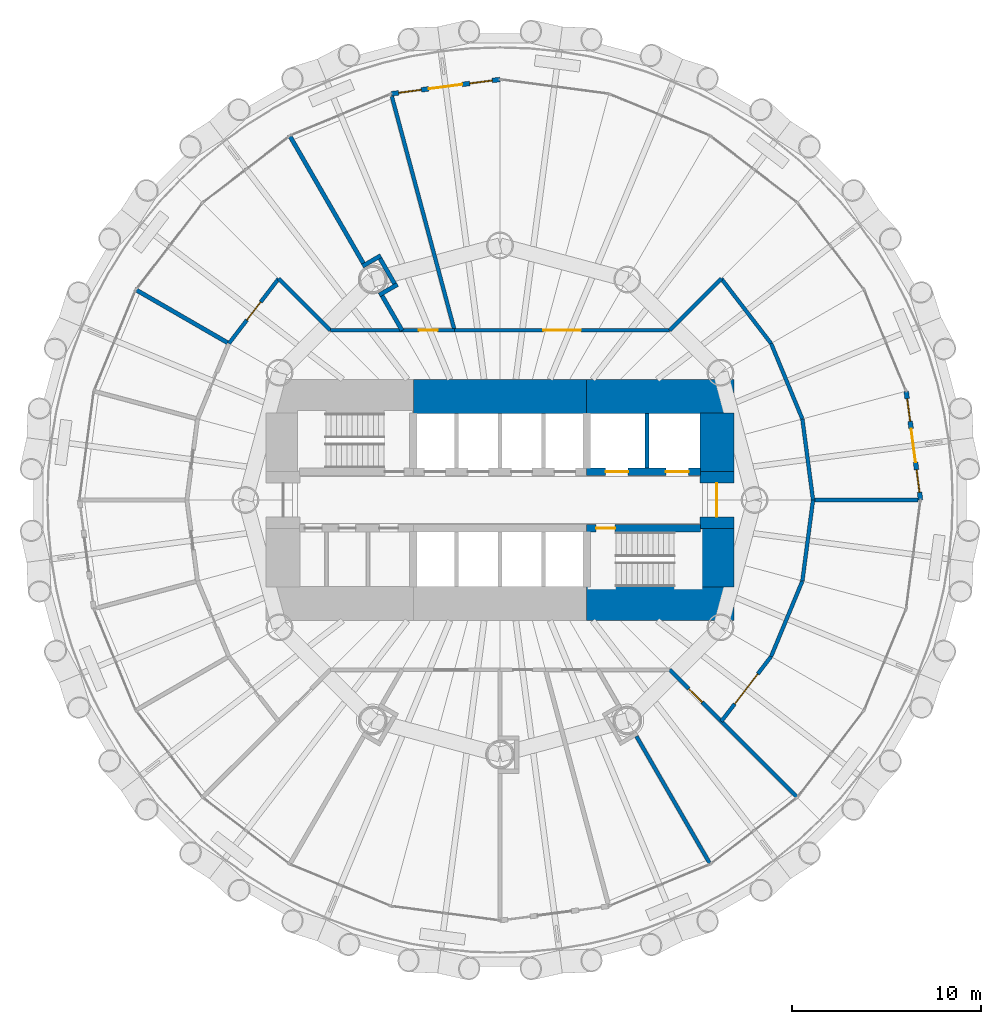
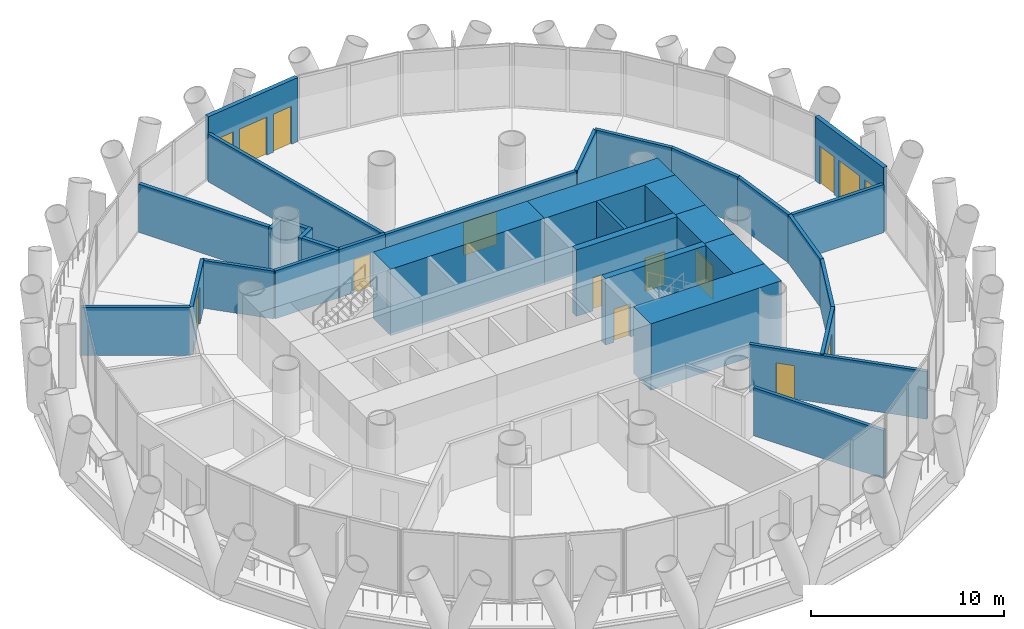
# One storey, part 10 of 15: 33 walls, 11 doors, 4 windows, 15 openings.
"""IFC4 building model written with IfcOpenShell, lengths in metres."""

import ifcopenshell
import ifcopenshell.guid

model = None  # the IFC model being written
_history = None  # IfcOwnerHistory: only IFC2X3 demands one
_inside = {}  # id of a spatial element -> (the spatial element, [elements in it])
_under = {}  # id of a project, library or spatial element -> (it, [spatial elements below it])
_declared = {}  # id of a project -> (the project, [libraries it declares])
_typed = {}  # id of a type object -> (the type object, [elements of that type])
_made_of = {}  # id of a material, layer set ... -> (it, [elements and type objects made of it])


def new_model(schema):
    """Start an empty IFC model of exactly this schema.

    Asked for "IFC4X3", IfcOpenShell would pick the latest addendum, in which some entities
    have other attributes; the version numbers below select the first issue.
    IFC2X3 requires an IfcOwnerHistory on every rooted entity: one is made here for all.
    """
    global model, _history
    if schema == "IFC4X3":
        model = ifcopenshell.file(schema_version=(4, 3, 0, 0))
    else:
        model = ifcopenshell.file(schema=schema)
    _inside.clear()
    _under.clear()
    _declared.clear()
    _typed.clear()
    _made_of.clear()
    _history = None
    if model.schema == "IFC2X3":
        org = make("IfcOrganization", Name="unknown")
        user = make(
            "IfcPersonAndOrganization",
            ThePerson=make("IfcPerson", FamilyName="unknown"),
            TheOrganization=org,
        )
        app = make(
            "IfcApplication",
            ApplicationDeveloper=org,
            Version="unknown",
            ApplicationFullName="unknown",
            ApplicationIdentifier="unknown",
        )
        _history = make(
            "IfcOwnerHistory",
            OwningUser=user,
            OwningApplication=app,
            ChangeAction="ADDED",
            CreationDate=0,
        )
    return model


def make(cls, **values):
    """One entity of the class cls with the attributes given. An attribute that is None is left unset."""
    return model.create_entity(
        cls, **{name: value for name, value in values.items() if value is not None}
    )


def rooted(cls, **values):
    """An entity with a GlobalId (a new one), such as an element, a storey or a relation."""
    return make(cls, GlobalId=ifcopenshell.guid.new(), OwnerHistory=_history, **values)


def si_unit(unit_type, name, prefix=None):
    """IfcSIUnit, for example si_unit("LENGTHUNIT", "METRE", prefix="MILLI")."""
    return make("IfcSIUnit", UnitType=unit_type, Prefix=prefix, Name=name)


def assignment(units):
    """IfcUnitAssignment: the units of a project."""
    return None if units is None else make("IfcUnitAssignment", Units=units)


def point(xyz):
    """IfcCartesianPoint."""
    return None if xyz is None else make("IfcCartesianPoint", Coordinates=xyz)


def direction(xyz):
    """IfcDirection."""
    return None if xyz is None else make("IfcDirection", DirectionRatios=xyz)


def frame(location, z_axis=None, x_axis=None):
    """IfcAxis2Placement3D, a coordinate frame: its origin and axes. An axis left out is left unset."""
    return make(
        "IfcAxis2Placement3D",
        Location=point(location),
        Axis=direction(z_axis),
        RefDirection=direction(x_axis),
    )


def frame_2d(location, x_axis=None):
    """IfcAxis2Placement2D, a coordinate frame in the plane: its origin and x axis."""
    return make(
        "IfcAxis2Placement2D", Location=point(location), RefDirection=direction(x_axis)
    )


def origin():
    """The frame at (0, 0, 0) with its axes left unset."""
    return frame((0.0, 0.0, 0.0))


def place(relative_to, where):
    """IfcLocalPlacement: puts the frame where relative to a parent placement (None: the world)."""
    return make(
        "IfcLocalPlacement", PlacementRelTo=relative_to, RelativePlacement=where
    )


def context(
    kind, dimensions, precision=None, world=None, true_north=None, identifier=None
):
    """IfcGeometricRepresentationContext, for example the 3D "Model" context."""
    return make(
        "IfcGeometricRepresentationContext",
        ContextIdentifier=identifier,
        ContextType=kind,
        CoordinateSpaceDimension=dimensions,
        Precision=precision,
        WorldCoordinateSystem=world,
        TrueNorth=true_north,
    )


def subcontext(parent, identifier, kind, view, scale=None):
    """IfcGeometricRepresentationSubContext, for example "Body" below "Model"."""
    return make(
        "IfcGeometricRepresentationSubContext",
        ContextIdentifier=identifier,
        ContextType=kind,
        ParentContext=parent,
        TargetScale=scale,
        TargetView=view,
    )


def project(units=None, contexts=None):
    """IfcProject with its units and contexts."""
    return rooted(
        "IfcProject",
        Name="project",
        RepresentationContexts=contexts,
        UnitsInContext=assignment(units),
    )


def spatial(cls, under=None, at=None, **own):
    """A site, building, storey or space (cls), placed at a placement, below another one or the project."""
    s = rooted(cls, ObjectPlacement=at, **own)
    if under is not None:
        _under.setdefault(under.id(), (under, []))[1].append(s)
    return s


def profile(cls, at=None, kind="AREA", **sizes):
    """A parametric profile (cls). Its sizes go by their IFC names, for example OverallWidth=200.0."""
    return make(cls, ProfileType=kind, Position=at, **sizes)


def rectangle(**sizes):
    """IfcRectangleProfileDef."""
    return profile("IfcRectangleProfileDef", **sizes)


def extrude(swept, where, along, depth):
    """IfcExtrudedAreaSolid: the profile swept, set in the frame where, extruded along a direction by depth."""
    return make(
        "IfcExtrudedAreaSolid",
        SweptArea=swept,
        Position=where,
        ExtrudedDirection=direction(along),
        Depth=depth,
    )


def shape(context_of_items, identifier, shape_type, items):
    """IfcShapeRepresentation: the items that make up one representation, for example the "Body"."""
    return make(
        "IfcShapeRepresentation",
        ContextOfItems=context_of_items,
        RepresentationIdentifier=identifier,
        RepresentationType=shape_type,
        Items=items,
    )


def material(Name=None, Category=None):
    """IfcMaterial."""
    return make("IfcMaterial", Name=Name, Category=Category)


def layer(
    of_material, thickness, ventilated=None, Name=None, Category=None, Priority=None
):
    """IfcMaterialLayer: one layer of a wall or slab, of a material (None: an air gap)."""
    return make(
        "IfcMaterialLayer",
        Material=of_material,
        LayerThickness=thickness,
        IsVentilated=ventilated,
        Name=Name,
        Category=Category,
        Priority=Priority,
    )


def layer_set(layers, Name=None):
    """IfcMaterialLayerSet."""
    return make("IfcMaterialLayerSet", MaterialLayers=layers, LayerSetName=Name)


def made_of(thing, what):
    """Note that an element or type object is made of a material, layer set ...; save() writes the relation."""
    if what is not None:
        _made_of.setdefault(what.id(), (what, []))[1].append(thing)
    return thing


def type_object(cls, material=None, **own):
    """A type object (cls), such as IfcWallType, which elements share."""
    return made_of(rooted(cls, **own), material)


def element(
    cls,
    number,
    at=None,
    inside=None,
    cuts=None,
    type_object=None,
    material=None,
    context=None,
    identifier="Body",
    shape_type=None,
    held_by="IfcProductDefinitionShape",
    body=None,
    shapes=None,
    **own,
):
    """One element of the class cls, such as IfcWall. Its Tag is "e" and its number.

    at: its placement. inside: the storey or other place that contains it. cuts: it is an
    opening in that element (IfcRelVoidsElement). A single representation is given by context,
    identifier, shape_type and body (its items); several are given by shapes. held_by: the class
    of the entity that holds the representations. save() writes the other relations.
    """
    e = rooted(cls, Tag="e%d" % number, ObjectPlacement=at, **own)
    if body is not None:
        shapes = [shape(context, identifier, shape_type, body)]
    if shapes is not None:
        e.Representation = make(held_by, Representations=shapes)
    if inside is not None:
        _inside.setdefault(inside.id(), (inside, []))[1].append(e)
    if cuts is not None:
        rooted(
            "IfcRelVoidsElement", RelatingBuildingElement=cuts, RelatedOpeningElement=e
        )
    if type_object is not None:
        _typed.setdefault(type_object.id(), (type_object, []))[1].append(e)
    return made_of(e, material)


def fill(opening, filler):
    """IfcRelFillsElement: the door or window that sits in an opening."""
    return rooted(
        "IfcRelFillsElement",
        RelatingOpeningElement=opening,
        RelatedBuildingElement=filler,
    )


def aggregate(whole, parts):
    """IfcRelAggregates: a whole, such as a stair, and the parts it consists of."""
    return rooted("IfcRelAggregates", RelatingObject=whole, RelatedObjects=parts)


def save(model, path):
    """Write the relations noted so far, then the file.

    IfcRelAggregates (storeys below a building ...), IfcRelContainedInSpatialStructure (elements
    in a storey), IfcRelDefinesByType, IfcRelAssociatesMaterial and IfcRelDeclares: one each for
    every whole, place, type object, material and project.
    """
    for whole, parts in _under.values():
        aggregate(whole, parts)
    for where, things in _inside.values():
        rooted(
            "IfcRelContainedInSpatialStructure",
            RelatedElements=things,
            RelatingStructure=where,
        )
    for kind, things in _typed.values():
        rooted("IfcRelDefinesByType", RelatedObjects=things, RelatingType=kind)
    for what, things in _made_of.values():
        rooted("IfcRelAssociatesMaterial", RelatedObjects=things, RelatingMaterial=what)
    for by, libraries in _declared.values():
        rooted("IfcRelDeclares", RelatingContext=by, RelatedDefinitions=libraries)
    model.write(path)


model = new_model("IFC4")

# Units and contexts
model_context = context("Model", 3, precision=1e-05, world=origin(), true_north=direction((0.0, 1.0)))
body_context = subcontext(model_context, "Body", "Model", "MODEL_VIEW")
ifc_project = project(units=[si_unit("LENGTHUNIT", "METRE"), si_unit("AREAUNIT", "SQUARE_METRE"), si_unit("VOLUMEUNIT", "CUBIC_METRE"), si_unit("PLANEANGLEUNIT", "RADIAN"), si_unit("MASSUNIT", "GRAM", prefix="KILO")], contexts=[model_context])

# Site, building, storey
site_placement = place(None, origin())
site = spatial("IfcSite", under=ifc_project, at=site_placement, CompositionType="ELEMENT")
building_placement = place(site_placement, origin())
building = spatial("IfcBuilding", under=site, at=building_placement, Name="Qaws Media Tower", CompositionType="ELEMENT")
storey_placement = place(building_placement, frame((0.0, 0.0, 51.199951171875)))
storey = spatial("IfcBuildingStorey", under=building, at=storey_placement, Name="L10", CompositionType="ELEMENT", Elevation=51.199951171875)

# Walls
ifc_material_1 = material(Name="Twin metal stud frames, two layers gypsum board each side, insulated, Rw 55", Category="gypsum")
ifc_layer_1 = layer(ifc_material_1, 0.22509765625)
ifc_layer_set_1 = layer_set([ifc_layer_1], Name="Acoustic twin-stud partition 225 Rw 55")
wall_type_1 = type_object("IfcWallType", Name="Acoustic twin-stud partition 225 Rw 55", PredefinedType="PARTITIONING", material=ifc_layer_set_1)
wall_1_placement = place(storey_placement, frame((53.59423828125, 60.8701171875, 0.0), z_axis=(0.0, 0.0, 1.0), x_axis=(0.866112899501, 0.499848422343, 0.0)))
element("IfcWall", 1, at=wall_1_placement, inside=storey, type_object=wall_type_1, Name="W063 IW6 partition return L10", PredefinedType="PARTITIONING", context=body_context, shape_type="SweptSolid", body=[
    extrude(rectangle(XDim=1.118408203125, YDim=0.22509765625, at=frame_2d((0.55908203125, 0.0))), origin(), (0.0, 0.0, 1.0), 3.02001953125),
])
wall_2_placement = place(storey_placement, frame((52.710693359375, 62.400146484375, 0.0), z_axis=(0.0, 0.0, 1.0), x_axis=(0.866018397847, 0.500012134443, 0.0)))
element("IfcWall", 2, at=wall_2_placement, inside=storey, type_object=wall_type_1, Name="W059 IW6 partition return L10", PredefinedType="PARTITIONING", context=body_context, shape_type="SweptSolid", body=[
    extrude(rectangle(XDim=1.11865234375, YDim=0.22509765625, at=frame_2d((0.559326171875, 0.0))), origin(), (0.0, 0.0, 1.0), 3.02001953125),
])
wall_3_placement = place(storey_placement, frame((54.4091796875, 61.470458984375, 0.0), z_axis=(0.0, 0.0, 1.0), x_axis=(-0.499987416453, 0.866032668777, 0.0)))
element("IfcWall", 3, at=wall_3_placement, inside=storey, type_object=wall_type_1, Name="W065 IW6 partition return L10", PredefinedType="PARTITIONING", context=body_context, shape_type="SweptSolid", body=[
    extrude(rectangle(XDim=1.5419921875, YDim=0.22509765625, at=frame_2d((0.77099609375, 0.0))), origin(), (0.0, 0.0, 1.0), 3.02001953125),
])
wall_4_placement = place(storey_placement, frame((54.81005859375, 58.9892578125, 0.0), z_axis=(0.0, 0.0, 1.0), x_axis=(-0.499971184285, 0.866042039906, 0.0)))
element("IfcWall", 4, at=wall_4_placement, inside=storey, type_object=wall_type_1, Name="W067 IW6 partition L10", PredefinedType="PARTITIONING", context=body_context, shape_type="SweptSolid", body=[
    extrude(rectangle(XDim=2.124267578125, YDim=0.22509765625, at=frame_2d((1.06201171875, 0.0))), origin(), (0.0, 0.0, 1.0), 3.0400390625),
])
wall_5_placement = place(storey_placement, frame((52.751953125, 62.553955078125, 0.0), z_axis=(0.0, 0.0, 1.0), x_axis=(-0.499994660107, 0.866028486751, 0.0)))
element("IfcWall", 5, at=wall_5_placement, inside=storey, type_object=wall_type_1, Name="W076 IW6 partition L10", PredefinedType="PARTITIONING", context=body_context, shape_type="SweptSolid", body=[
    extrude(rectangle(XDim=7.763671875, YDim=0.22509765625, at=frame_2d((3.8818359375, 0.0))), origin(), (0.0, 0.0, 1.0), 3.0400390625),
])
wall_6_placement = place(storey_placement, frame((45.6240234375, 58.300048828125, 0.0), z_axis=(0.0, 0.0, 1.0), x_axis=(-0.866034020963, 0.499985074313, 0.0)))
element("IfcWall", 6, at=wall_6_placement, inside=storey, type_object=wall_type_1, Name="W074 IW6 partition L10", PredefinedType="PARTITIONING", context=body_context, shape_type="SweptSolid", body=[
    extrude(rectangle(XDim=5.659912109375, YDim=0.22509765625, at=frame_2d((2.830078125, 0.0))), origin(), (0.0, 0.0, 1.0), 3.0400390625),
])

# Wall, openings, door, windows
ifc_material_2 = material(Name="Precast concrete, exposed finish", Category="concrete")
ifc_layer_2 = layer(ifc_material_2, 0.25)
ifc_layer_set_2 = layer_set([ifc_layer_2], Name="Balcony door wall 250")
wall_type_2 = type_object("IfcWallType", Name="Balcony door wall 250", PredefinedType="SOLIDWALL", material=ifc_layer_set_2)
wall_7_placement = place(storey_placement, frame((82.300048828125, 50.0, 0.0), z_axis=(0.0, 0.0, 1.0), x_axis=(-0.130551062135, 0.99144158687, 0.0)))
wall_7 = element("IfcWall", 7, at=wall_7_placement, inside=storey, type_object=wall_type_2, Name="W132 EW1 balcony door wall L10-01", PredefinedType="SOLIDWALL", context=body_context, shape_type="SweptSolid", body=[
    extrude(rectangle(XDim=5.821533203125, YDim=0.25, at=frame_2d((2.91064453125, 0.0))), origin(), (0.0, 0.0, 1.0), 4.0400390625),
])
opening_1_placement = place(wall_7_placement, frame((2.0107421875, 0.0, 0.0)))
opening_1 = element("IfcOpeningElement", 8, at=opening_1_placement, cuts=wall_7, Name="Opening D7", PredefinedType="OPENING", context=body_context, shape_type="SweptSolid", body=[
    extrude(rectangle(XDim=1.800048828125, YDim=2.39990234375, at=frame_2d((0.89990234375, 1.199951171875))), frame((0.0, 0.135009765625, 0.0), z_axis=(0.0, -1.0, 0.0), x_axis=(1.0, 0.0, 0.0)), (0.0, 0.0, 1.0), 0.27001953125),
])
opening_2_placement = place(wall_7_placement, frame((0.41064453125, 0.0, 0.0)))
opening_2 = element("IfcOpeningElement", 9, at=opening_2_placement, cuts=wall_7, Name="Opening W1", PredefinedType="OPENING", context=body_context, shape_type="SweptSolid", body=[
    extrude(rectangle(XDim=1.199951171875, YDim=2.39990234375, at=frame_2d((0.60009765625, 1.199951171875))), frame((0.0, 0.135009765625, 0.0), z_axis=(0.0, -1.0, 0.0), x_axis=(1.0, 0.0, 0.0)), (0.0, 0.0, 1.0), 0.27001953125),
])
opening_3_placement = place(wall_7_placement, frame((4.210693359375, 0.0, 0.0)))
opening_3 = element("IfcOpeningElement", 10, at=opening_3_placement, cuts=wall_7, Name="Opening W1", PredefinedType="OPENING", context=body_context, shape_type="SweptSolid", body=[
    extrude(rectangle(XDim=1.199951171875, YDim=2.39990234375, at=frame_2d((0.60009765625, 1.199951171875))), frame((0.0, 0.135009765625, 0.0), z_axis=(0.0, -1.0, 0.0), x_axis=(1.0, 0.0, 0.0)), (0.0, 0.0, 1.0), 0.27001953125),
])
ifc_material_3 = material(Name="Aluminium and clear glass", Category="aluminium")
door_type_1 = type_object("IfcDoorType", Name="Balcony door pair 1800", OperationType="DOUBLE_DOOR_SLIDING", PredefinedType="DOOR", material=ifc_material_3)
door_1_placement = place(opening_1_placement, origin())
door_1 = element("IfcDoor", 11, at=door_1_placement, inside=storey, type_object=door_type_1, Name="D7 balcony door L10-01 in wall W132", OperationType="DOUBLE_DOOR_SLIDING", OverallHeight=2.39990234375, OverallWidth=1.800048828125, PredefinedType="DOOR", context=body_context, shape_type="SweptSolid", body=[
    extrude(rectangle(XDim=1.800048828125, YDim=2.39990234375, at=frame_2d((0.89990234375, 1.199951171875))), frame((0.0, 0.02490234375, 0.0), z_axis=(0.0, -1.0, 0.0), x_axis=(1.0, 0.0, 0.0)), (0.0, 0.0, 1.0), 0.050048828125),
])
fill(opening_1, door_1)
ifc_material_4 = material(Name="Aluminium and clear glass", Category="aluminium")
window_type = type_object("IfcWindowType", Name="Balcony side window 1200", PartitioningType="SINGLE_PANEL", PredefinedType="WINDOW", material=ifc_material_4)
window_1_placement = place(opening_2_placement, origin())
window_1 = element("IfcWindow", 12, at=window_1_placement, inside=storey, type_object=window_type, Name="W1 balcony side light L10-01L", OverallHeight=2.39990234375, OverallWidth=1.199951171875, PartitioningType="SINGLE_PANEL", PredefinedType="WINDOW", context=body_context, shape_type="SweptSolid", body=[
    extrude(rectangle(XDim=1.199951171875, YDim=2.39990234375, at=frame_2d((0.60009765625, 1.199951171875))), frame((0.0, 0.030029296875, 0.0), z_axis=(0.0, -1.0, 0.0), x_axis=(1.0, 0.0, 0.0)), (0.0, 0.0, 1.0), 0.06005859375),
])
fill(opening_2, window_1)
window_2_placement = place(opening_3_placement, origin())
window_2 = element("IfcWindow", 13, at=window_2_placement, inside=storey, type_object=window_type, Name="W1 balcony side light L10-01R", OverallHeight=2.39990234375, OverallWidth=1.199951171875, PartitioningType="SINGLE_PANEL", PredefinedType="WINDOW", context=body_context, shape_type="SweptSolid", body=[
    extrude(rectangle(XDim=1.199951171875, YDim=2.39990234375, at=frame_2d((0.60009765625, 1.199951171875))), frame((0.0, 0.030029296875, 0.0), z_axis=(0.0, -1.0, 0.0), x_axis=(1.0, 0.0, 0.0)), (0.0, 0.0, 1.0), 0.06005859375),
])
fill(opening_3, window_2)

wall_8_placement = place(storey_placement, frame((60.0, 72.300048828125, 0.0), z_axis=(0.0, 0.0, 1.0), x_axis=(-0.99144158687, -0.130551062135, 0.0)))
wall_8 = element("IfcWall", 14, at=wall_8_placement, inside=storey, type_object=wall_type_2, Name="W131 EW1 balcony door wall L10-07", PredefinedType="SOLIDWALL", context=body_context, shape_type="SweptSolid", body=[
    extrude(rectangle(XDim=5.821533203125, YDim=0.25, at=frame_2d((2.91064453125, 0.0))), origin(), (0.0, 0.0, 1.0), 4.0400390625),
])
opening_4_placement = place(wall_8_placement, frame((2.0107421875, 0.0, 0.0)))
opening_4 = element("IfcOpeningElement", 15, at=opening_4_placement, cuts=wall_8, Name="Opening D7", PredefinedType="OPENING", context=body_context, shape_type="SweptSolid", body=[
    extrude(rectangle(XDim=1.800048828125, YDim=2.39990234375, at=frame_2d((0.89990234375, 1.199951171875))), frame((0.0, 0.135009765625, 0.0), z_axis=(0.0, -1.0, 0.0), x_axis=(1.0, 0.0, 0.0)), (0.0, 0.0, 1.0), 0.27001953125),
])
opening_5_placement = place(wall_8_placement, frame((0.41064453125, 0.0, 0.0)))
opening_5 = element("IfcOpeningElement", 16, at=opening_5_placement, cuts=wall_8, Name="Opening W1", PredefinedType="OPENING", context=body_context, shape_type="SweptSolid", body=[
    extrude(rectangle(XDim=1.199951171875, YDim=2.39990234375, at=frame_2d((0.60009765625, 1.199951171875))), frame((0.0, 0.135009765625, 0.0), z_axis=(0.0, -1.0, 0.0), x_axis=(1.0, 0.0, 0.0)), (0.0, 0.0, 1.0), 0.27001953125),
])
opening_6_placement = place(wall_8_placement, frame((4.210693359375, 0.0, 0.0)))
opening_6 = element("IfcOpeningElement", 17, at=opening_6_placement, cuts=wall_8, Name="Opening W1", PredefinedType="OPENING", context=body_context, shape_type="SweptSolid", body=[
    extrude(rectangle(XDim=1.199951171875, YDim=2.39990234375, at=frame_2d((0.60009765625, 1.199951171875))), frame((0.0, 0.135009765625, 0.0), z_axis=(0.0, -1.0, 0.0), x_axis=(1.0, 0.0, 0.0)), (0.0, 0.0, 1.0), 0.27001953125),
])
door_2_placement = place(opening_4_placement, origin())
door_2 = element("IfcDoor", 18, at=door_2_placement, inside=storey, type_object=door_type_1, Name="D7 balcony door L10-07 in wall W131", OperationType="DOUBLE_DOOR_SLIDING", OverallHeight=2.39990234375, OverallWidth=1.800048828125, PredefinedType="DOOR", context=body_context, shape_type="SweptSolid", body=[
    extrude(rectangle(XDim=1.800048828125, YDim=2.39990234375, at=frame_2d((0.89990234375, 1.199951171875))), frame((0.0, 0.02490234375, 0.0), z_axis=(0.0, -1.0, 0.0), x_axis=(1.0, 0.0, 0.0)), (0.0, 0.0, 1.0), 0.050048828125),
])
fill(opening_4, door_2)
window_3_placement = place(opening_5_placement, origin())
window_3 = element("IfcWindow", 19, at=window_3_placement, inside=storey, type_object=window_type, Name="W1 balcony side light L10-07L", OverallHeight=2.39990234375, OverallWidth=1.199951171875, PartitioningType="SINGLE_PANEL", PredefinedType="WINDOW", context=body_context, shape_type="SweptSolid", body=[
    extrude(rectangle(XDim=1.199951171875, YDim=2.39990234375, at=frame_2d((0.60009765625, 1.199951171875))), frame((0.0, 0.030029296875, 0.0), z_axis=(0.0, -1.0, 0.0), x_axis=(1.0, 0.0, 0.0)), (0.0, 0.0, 1.0), 0.06005859375),
])
fill(opening_5, window_3)
window_4_placement = place(opening_6_placement, origin())
window_4 = element("IfcWindow", 20, at=window_4_placement, inside=storey, type_object=window_type, Name="W1 balcony side light L10-07R", OverallHeight=2.39990234375, OverallWidth=1.199951171875, PartitioningType="SINGLE_PANEL", PredefinedType="WINDOW", context=body_context, shape_type="SweptSolid", body=[
    extrude(rectangle(XDim=1.199951171875, YDim=2.39990234375, at=frame_2d((0.60009765625, 1.199951171875))), frame((0.0, 0.030029296875, 0.0), z_axis=(0.0, -1.0, 0.0), x_axis=(1.0, 0.0, 0.0)), (0.0, 0.0, 1.0), 0.06005859375),
])
fill(opening_6, window_4)

# Wall, openings, doors
ifc_material_5 = material(Name="Concrete C60/75", Category="concrete")
ifc_layer_3 = layer(ifc_material_5, 0.39990234375)
ifc_layer_set_3 = layer_set([ifc_layer_3], Name="Core inner wall 400")
wall_type_3 = type_object("IfcWallType", Name="Core inner wall 400", PredefinedType="SHEAR", material=ifc_layer_set_3)
wall_9_placement = place(storey_placement, frame((64.60009765625, 51.5, 0.0), z_axis=(0.0, 0.0, 1.0), x_axis=(1.0, 0.0, 0.0)))
wall_9 = element("IfcWall", 21, at=wall_9_placement, inside=storey, type_object=wall_type_3, Name="W318 SW4 core wall SPNE L10", PredefinedType="SHEAR", context=body_context, shape_type="SweptSolid", body=[
    extrude(rectangle(XDim=6.02001953125, YDim=0.39990234375, at=frame_2d((3.010009765625, 0.0))), origin(), (0.0, 0.0, 1.0), 4.199951171875),
])
opening_7_placement = place(wall_9_placement, frame((1.0, 0.0, 0.0)))
opening_7 = element("IfcOpeningElement", 22, at=opening_7_placement, cuts=wall_9, Name="Opening LD2", PredefinedType="OPENING", context=body_context, shape_type="SweptSolid", body=[
    extrude(rectangle(XDim=1.199951171875, YDim=2.10009765625, at=frame_2d((0.60009765625, 1.050048828125))), frame((0.0, 0.2099609375, 0.0), z_axis=(0.0, -1.0, 0.0), x_axis=(1.0, 0.0, 0.0)), (0.0, 0.0, 1.0), 0.419921875),
])
opening_8_placement = place(wall_9_placement, frame((4.199951171875, 0.0, 0.0)))
opening_8 = element("IfcOpeningElement", 23, at=opening_8_placement, cuts=wall_9, Name="Opening LD2", PredefinedType="OPENING", context=body_context, shape_type="SweptSolid", body=[
    extrude(rectangle(XDim=1.199951171875, YDim=2.10009765625, at=frame_2d((0.60009765625, 1.050048828125))), frame((0.0, 0.2099609375, 0.0), z_axis=(0.0, -1.0, 0.0), x_axis=(1.0, 0.0, 0.0)), (0.0, 0.0, 1.0), 0.419921875),
])
ifc_material_6 = material(Name="Steel, fire rated", Category="steel")
door_type_2 = type_object("IfcDoorType", Name="Lift landing door 1200", OperationType="SLIDING_TO_LEFT", PredefinedType="DOOR", material=ifc_material_6)
door_3_placement = place(opening_7_placement, origin())
door_3 = element("IfcDoor", 24, at=door_3_placement, inside=storey, type_object=door_type_2, Name="FL1 landing door L10 in wall W318", OperationType="SLIDING_TO_LEFT", OverallHeight=2.10009765625, OverallWidth=1.199951171875, PredefinedType="DOOR", context=body_context, shape_type="SweptSolid", body=[
    extrude(rectangle(XDim=1.199951171875, YDim=2.10009765625, at=frame_2d((0.60009765625, 1.050048828125))), frame((0.0, 0.02490234375, 0.0), z_axis=(0.0, -1.0, 0.0), x_axis=(1.0, 0.0, 0.0)), (0.0, 0.0, 1.0), 0.050048828125),
])
fill(opening_7, door_3)
door_4_placement = place(opening_8_placement, origin())
door_4 = element("IfcDoor", 25, at=door_4_placement, inside=storey, type_object=door_type_2, Name="FL2 landing door L10 in wall W318", OperationType="SLIDING_TO_LEFT", OverallHeight=2.10009765625, OverallWidth=1.199951171875, PredefinedType="DOOR", context=body_context, shape_type="SweptSolid", body=[
    extrude(rectangle(XDim=1.199951171875, YDim=2.10009765625, at=frame_2d((0.60009765625, 1.050048828125))), frame((0.0, 0.02490234375, 0.0), z_axis=(0.0, -1.0, 0.0), x_axis=(1.0, 0.0, 0.0)), (0.0, 0.0, 1.0), 0.050048828125),
])
fill(opening_8, door_4)

# Wall, opening, door
wall_10_placement = place(storey_placement, frame((64.60009765625, 48.5, 0.0), z_axis=(0.0, 0.0, 1.0), x_axis=(1.0, 0.0, 0.0)))
wall_10 = element("IfcWall", 26, at=wall_10_placement, inside=storey, type_object=wall_type_3, Name="W317 SW4 core wall SPSE L10", PredefinedType="SHEAR", context=body_context, shape_type="SweptSolid", body=[
    extrude(rectangle(XDim=6.02001953125, YDim=0.39990234375, at=frame_2d((3.010009765625, 0.0))), origin(), (0.0, 0.0, 1.0), 4.199951171875),
])
opening_9_placement = place(wall_10_placement, frame((0.5, 0.0, 0.0)))
opening_9 = element("IfcOpeningElement", 27, at=opening_9_placement, cuts=wall_10, Name="Opening D1", PredefinedType="OPENING", context=body_context, shape_type="SweptSolid", body=[
    extrude(rectangle(XDim=1.0, YDim=2.10009765625, at=frame_2d((0.5, 1.050048828125))), frame((0.0, 0.2099609375, 0.0), z_axis=(0.0, -1.0, 0.0), x_axis=(1.0, 0.0, 0.0)), (0.0, 0.0, 1.0), 0.419921875),
])
ifc_material_7 = material(Name="Steel, fire rated", Category="steel")
door_type_3 = type_object("IfcDoorType", Name="Stair door 1000 FD120", OperationType="SINGLE_SWING_LEFT", PredefinedType="DOOR", material=ifc_material_7)
door_5_placement = place(opening_9_placement, origin())
door_5 = element("IfcDoor", 28, at=door_5_placement, inside=storey, type_object=door_type_3, Name="D1 stair S2 door L10 in wall W317", OperationType="SINGLE_SWING_LEFT", OverallHeight=2.10009765625, OverallWidth=1.0, PredefinedType="DOOR", context=body_context, shape_type="SweptSolid", body=[
    extrude(rectangle(XDim=1.0, YDim=2.10009765625, at=frame_2d((0.5, 1.050048828125))), frame((0.0, 0.02490234375, 0.0), z_axis=(0.0, -1.0, 0.0), x_axis=(1.0, 0.0, 0.0)), (0.0, 0.0, 1.0), 0.050048828125),
])
fill(opening_9, door_5)

# Walls
ifc_material_8 = material(Name="Concrete C60/75", Category="concrete")
ifc_layer_4 = layer(ifc_material_8, 1.800048828125)
ifc_layer_set_4 = layer_set([ifc_layer_4], Name="Core wall 1800")
wall_type_4 = type_object("IfcWallType", Name="Core wall 1800", PredefinedType="SHEAR", material=ifc_layer_set_4)
wall_11_placement = place(storey_placement, frame((55.39990234375, 55.5, 0.0), z_axis=(0.0, 0.0, 1.0), x_axis=(1.0, 0.0, 0.0)))
element("IfcWall", 29, at=wall_11_placement, inside=storey, type_object=wall_type_4, Name="W404 SW11 core wall N L10", PredefinedType="SHEAR", context=body_context, shape_type="SweptSolid", body=[
    extrude(rectangle(XDim=9.2001953125, YDim=1.800048828125, at=frame_2d((4.60009765625, 0.0))), origin(), (0.0, 0.0, 1.0), 4.199951171875),
])
for number, where, z_axis, x_axis, name in (
    (30, (64.60009765625, 55.5, 0.0), (0.0, 0.0, 1.0), (1.0, 0.0, 0.0), "W406 SW11 core wall NE L10"),
    (31, (64.60009765625, 44.5, 0.0), (0.0, 0.0, 1.0), (1.0, 0.0, 0.0), "W405 SW11 core wall SE L10"),
):
    element("IfcWall", number, at=place(storey_placement, frame(where, z_axis=z_axis, x_axis=x_axis)), inside=storey, type_object=wall_type_4, Name=name, PredefinedType="SHEAR", context=body_context, shape_type="SweptSolid", body=[
        extrude(rectangle(XDim=7.7998046875, YDim=1.800048828125, at=frame_2d((3.89990234375, 0.0))), origin(), (0.0, 0.0, 1.0), 4.199951171875),
    ])
wall_12_placement = place(storey_placement, frame((71.5, 45.3798828125, 0.0), z_axis=(0.0, 0.0, 1.0), x_axis=(0.0, 1.0, 0.0)))
element("IfcWall", 32, at=wall_12_placement, inside=storey, type_object=wall_type_4, Name="W407 SW11 core wall ES L10", PredefinedType="SHEAR", context=body_context, shape_type="SweptSolid", body=[
    extrude(rectangle(XDim=3.1201171875, YDim=1.800048828125, at=frame_2d((1.56005859375, 0.0))), origin(), (0.0, 0.0, 1.0), 4.199951171875),
])

# Wall, opening, door
wall_13_placement = place(storey_placement, frame((71.5, 48.5, 0.0), z_axis=(0.0, 0.0, 1.0), x_axis=(0.0, 1.0, 0.0)))
wall_13 = element("IfcWall", 33, at=wall_13_placement, inside=storey, type_object=wall_type_4, Name="W408 SW11 core wall E L10", PredefinedType="SHEAR", context=body_context, shape_type="SweptSolid", body=[
    extrude(rectangle(XDim=3.0, YDim=1.800048828125, at=frame_2d((1.5, 0.0))), origin(), (0.0, 0.0, 1.0), 4.199951171875),
])
opening_10_placement = place(wall_13_placement, frame((0.60009765625, 0.0, 0.0)))
opening_10 = element("IfcOpeningElement", 34, at=opening_10_placement, cuts=wall_13, Name="Opening D2", PredefinedType="OPENING", context=body_context, shape_type="SweptSolid", body=[
    extrude(rectangle(XDim=1.800048828125, YDim=2.10009765625, at=frame_2d((0.89990234375, 1.050048828125))), frame((0.0, 0.909912109375, 0.0), z_axis=(0.0, -1.0, 0.0), x_axis=(1.0, 0.0, 0.0)), (0.0, 0.0, 1.0), 1.820068359375),
])
ifc_material_9 = material(Name="Steel and glass, fire rated", Category="steel")
door_type_4 = type_object("IfcDoorType", Name="Lobby door pair 1800 FD60", OperationType="DOUBLE_DOOR_DOUBLE_SWING", PredefinedType="DOOR", material=ifc_material_9)
door_6_placement = place(opening_10_placement, origin())
door_6 = element("IfcDoor", 35, at=door_6_placement, inside=storey, type_object=door_type_4, Name="D2 core lobby door E L10 in wall W408", OperationType="DOUBLE_DOOR_DOUBLE_SWING", OverallHeight=2.10009765625, OverallWidth=1.800048828125, PredefinedType="DOOR", context=body_context, shape_type="SweptSolid", body=[
    extrude(rectangle(XDim=1.800048828125, YDim=2.10009765625, at=frame_2d((0.89990234375, 1.050048828125))), frame((0.0, 0.02490234375, 0.0), z_axis=(0.0, -1.0, 0.0), x_axis=(1.0, 0.0, 0.0)), (0.0, 0.0, 1.0), 0.050048828125),
])
fill(opening_10, door_6)

# Wall
wall_14_placement = place(storey_placement, frame((71.5, 51.5, 0.0), z_axis=(0.0, 0.0, 1.0), x_axis=(0.0, 1.0, 0.0)))
element("IfcWall", 36, at=wall_14_placement, inside=storey, type_object=wall_type_4, Name="W409 SW11 core wall EN L10", PredefinedType="SHEAR", context=body_context, shape_type="SweptSolid", body=[
    extrude(rectangle(XDim=3.1201171875, YDim=1.800048828125, at=frame_2d((1.56005859375, 0.0))), origin(), (0.0, 0.0, 1.0), 4.199951171875),
])

# Wall, opening, door
ifc_material_10 = material(Name="Gypsum board on galvanised metal studs, acoustic double stud, deflection head", Category="gypsum")
ifc_layer_5 = layer(ifc_material_10, 0.199951171875)
ifc_layer_set_5 = layer_set([ifc_layer_5], Name="Room partition 200")
wall_type_5 = type_object("IfcWallType", Name="Room partition 200", PredefinedType="PARTITIONING", material=ifc_layer_set_5)
wall_15_placement = place(storey_placement, frame((45.6240234375, 58.300048828125, 0.0), z_axis=(0.0, 0.0, 1.0), x_axis=(0.60874374674, 0.79336690806, 0.0)))
wall_15 = element("IfcWall", 37, at=wall_15_placement, inside=storey, type_object=wall_type_5, Name="W992 IW3 partition L10", PredefinedType="PARTITIONING", context=body_context, shape_type="SweptSolid", body=[
    extrude(rectangle(XDim=4.33349609375, YDim=0.199951171875, at=frame_2d((2.166748046875, 0.0))), origin(), (0.0, 0.0, 1.0), 3.0400390625),
])
opening_11_placement = place(wall_15_placement, frame((1.566650390625, 0.0, 0.0)))
opening_11 = element("IfcOpeningElement", 38, at=opening_11_placement, cuts=wall_15, Name="Opening D14", PredefinedType="OPENING", context=body_context, shape_type="SweptSolid", body=[
    extrude(rectangle(XDim=1.199951171875, YDim=2.39990234375, at=frame_2d((0.60009765625, 1.199951171875))), frame((0.0, 0.10986328125, 0.0), z_axis=(0.0, -1.0, 0.0), x_axis=(1.0, 0.0, 0.0)), (0.0, 0.0, 1.0), 0.219970703125),
])
ifc_material_11 = material(Name="Steel acoustic door set, Rw 45", Category="steel")
door_type_5 = type_object("IfcDoorType", Name="Acoustic door 1200x2400 Rw 45", OperationType="SINGLE_SWING_LEFT", PredefinedType="DOOR", material=ifc_material_11)
door_7_placement = place(opening_11_placement, origin())
door_7 = element("IfcDoor", 39, at=door_7_placement, inside=storey, type_object=door_type_5, Name="D14 Colour grading room door L10 in wall W992", OperationType="SINGLE_SWING_LEFT", OverallHeight=2.39990234375, OverallWidth=1.199951171875, PredefinedType="DOOR", context=body_context, shape_type="SweptSolid", body=[
    extrude(rectangle(XDim=1.199951171875, YDim=2.39990234375, at=frame_2d((0.60009765625, 1.199951171875))), frame((0.0, 0.02490234375, 0.0), z_axis=(0.0, -1.0, 0.0), x_axis=(1.0, 0.0, 0.0)), (0.0, 0.0, 1.0), 0.050048828125),
])
fill(opening_11, door_7)

# Walls
wall_16_placement = place(storey_placement, frame((48.261962890625, 61.738037109375, 0.0), z_axis=(0.0, 0.0, 1.0), x_axis=(0.707106781187, -0.707106781187, 0.0)))
element("IfcWall", 40, at=wall_16_placement, inside=storey, type_object=wall_type_5, Name="W994 IW3 partition L10", PredefinedType="PARTITIONING", context=body_context, shape_type="SweptSolid", body=[
    extrude(rectangle(XDim=3.8720703125, YDim=0.199951171875, at=frame_2d((1.93603515625, 0.0))), origin(), (0.0, 0.0, 1.0), 3.02001953125),
])
wall_17_placement = place(storey_placement, frame((51.0, 59.0, 0.0), z_axis=(0.0, 0.0, 1.0), x_axis=(1.0, 0.0, 0.0)))
element("IfcWall", 41, at=wall_17_placement, inside=storey, type_object=wall_type_5, Name="W996 IW3 partition L10", PredefinedType="PARTITIONING", context=body_context, shape_type="SweptSolid", body=[
    extrude(rectangle(XDim=3.8037109375, YDim=0.199951171875, at=frame_2d((1.90185546875, 0.0))), origin(), (0.0, 0.0, 1.0), 3.02001953125),
])

# Wall, opening, door
wall_18_placement = place(storey_placement, frame((54.8037109375, 59.0, 0.0), z_axis=(0.0, 0.0, 1.0), x_axis=(1.0, 0.0, 0.0)))
wall_18 = element("IfcWall", 42, at=wall_18_placement, inside=storey, type_object=wall_type_5, Name="W998 IW3 partition L10", PredefinedType="PARTITIONING", context=body_context, shape_type="SweptSolid", body=[
    extrude(rectangle(XDim=2.78466796875, YDim=0.199951171875, at=frame_2d((1.392333984375, 0.0))), origin(), (0.0, 0.0, 1.0), 3.0400390625),
])
opening_12_placement = place(wall_18_placement, frame((0.892333984375, 0.0, 0.0)))
opening_12 = element("IfcOpeningElement", 43, at=opening_12_placement, cuts=wall_18, Name="Opening D5", PredefinedType="OPENING", context=body_context, shape_type="SweptSolid", body=[
    extrude(rectangle(XDim=1.0, YDim=2.10009765625, at=frame_2d((0.5, 1.050048828125))), frame((0.0, 0.10986328125, 0.0), z_axis=(0.0, -1.0, 0.0), x_axis=(1.0, 0.0, 0.0)), (0.0, 0.0, 1.0), 0.219970703125),
])
ifc_material_12 = material(Name="Timber veneered, acoustic seal", Category="wood")
door_type_6 = type_object("IfcDoorType", Name="Room door 1000", OperationType="SINGLE_SWING_LEFT", PredefinedType="DOOR", material=ifc_material_12)
door_8_placement = place(opening_12_placement, origin())
door_8 = element("IfcDoor", 44, at=door_8_placement, inside=storey, type_object=door_type_6, Name="D5 Media asset room door L10 in wall W998", OperationType="SINGLE_SWING_LEFT", OverallHeight=2.10009765625, OverallWidth=1.0, PredefinedType="DOOR", context=body_context, shape_type="SweptSolid", body=[
    extrude(rectangle(XDim=1.0, YDim=2.10009765625, at=frame_2d((0.5, 1.050048828125))), frame((0.0, 0.02490234375, 0.0), z_axis=(0.0, -1.0, 0.0), x_axis=(1.0, 0.0, 0.0)), (0.0, 0.0, 1.0), 0.050048828125),
])
fill(opening_12, door_8)

wall_19_placement = place(storey_placement, frame((57.58837890625, 59.0, 0.0), z_axis=(0.0, 0.0, 1.0), x_axis=(1.0, 0.0, 0.0)))
wall_19 = element("IfcWall", 45, at=wall_19_placement, inside=storey, type_object=wall_type_5, Name="W1000 IW3 partition L10", PredefinedType="PARTITIONING", context=body_context, shape_type="SweptSolid", body=[
    extrude(rectangle(XDim=11.41162109375, YDim=0.199951171875, at=frame_2d((5.705810546875, 0.0))), origin(), (0.0, 0.0, 1.0), 3.02001953125),
])
opening_13_placement = place(wall_19_placement, frame((4.705810546875, 0.0, 0.0)))
opening_13 = element("IfcOpeningElement", 46, at=opening_13_placement, cuts=wall_19, Name="Opening D6", PredefinedType="OPENING", context=body_context, shape_type="SweptSolid", body=[
    extrude(rectangle(XDim=2.0, YDim=2.10009765625, at=frame_2d((1.0, 1.050048828125))), frame((0.0, 0.10986328125, 0.0), z_axis=(0.0, -1.0, 0.0), x_axis=(1.0, 0.0, 0.0)), (0.0, 0.0, 1.0), 0.219970703125),
])
ifc_material_13 = material(Name="Steel, acoustic, fire rated", Category="steel")
door_type_7 = type_object("IfcDoorType", Name="Room door pair 2000", OperationType="DOUBLE_DOOR_DOUBLE_SWING", PredefinedType="DOOR", material=ifc_material_13)
door_9_placement = place(opening_13_placement, origin())
door_9 = element("IfcDoor", 47, at=door_9_placement, inside=storey, type_object=door_type_7, Name="D6 Production office door L10 in wall W1000", OperationType="DOUBLE_DOOR_DOUBLE_SWING", OverallHeight=2.10009765625, OverallWidth=2.0, PredefinedType="DOOR", context=body_context, shape_type="SweptSolid", body=[
    extrude(rectangle(XDim=2.0, YDim=2.10009765625, at=frame_2d((1.0, 1.050048828125))), frame((0.0, 0.02490234375, 0.0), z_axis=(0.0, -1.0, 0.0), x_axis=(1.0, 0.0, 0.0)), (0.0, 0.0, 1.0), 0.050048828125),
])
fill(opening_13, door_9)

# Walls
wall_20_placement = place(storey_placement, frame((69.0, 59.0, 0.0), z_axis=(0.0, 0.0, 1.0), x_axis=(0.707106781187, 0.707106781187, 0.0)))
element("IfcWall", 48, at=wall_20_placement, inside=storey, type_object=wall_type_5, Name="W1011 IW3 partition L10", PredefinedType="PARTITIONING", context=body_context, shape_type="SweptSolid", body=[
    extrude(rectangle(XDim=3.8720703125, YDim=0.199951171875, at=frame_2d((1.93603515625, 0.0))), origin(), (0.0, 0.0, 1.0), 3.02001953125),
])
for number, where, z_axis, x_axis, name in (
    (49, (71.738037109375, 61.738037109375, 0.0), (0.0, 0.0, 1.0), (0.60874374674, -0.79336690806, 0.0), "W1012 IW3 partition L10"),
    (50, (74.3759765625, 58.300048828125, 0.0), (0.0, 0.0, 1.0), (0.382698425325, -0.923873322082, 0.0), "W1014 IW3 partition L10"),
    (51, (76.034423828125, 54.29638671875, 0.0), (0.0, 0.0, 1.0), (0.130536124221, -0.99144355375, 0.0), "W1016 IW3 partition L10"),
    (52, (76.60009765625, 50.0, 0.0), (0.0, 0.0, 1.0), (-0.130536124221, -0.99144355375, 0.0), "W1017 IW3 partition L10"),
    (53, (76.034423828125, 45.70361328125, 0.0), (0.0, 0.0, 1.0), (-0.382698425325, -0.923873322082, 0.0), "W1015 IW3 partition L10"),
):
    element("IfcWall", number, at=place(storey_placement, frame(where, z_axis=z_axis, x_axis=x_axis)), inside=storey, type_object=wall_type_5, Name=name, PredefinedType="PARTITIONING", context=body_context, shape_type="SweptSolid", body=[
        extrude(rectangle(XDim=4.33349609375, YDim=0.199951171875, at=frame_2d((2.166748046875, 0.0))), origin(), (0.0, 0.0, 1.0), 3.0400390625),
    ])

# Wall, opening, door
wall_21_placement = place(storey_placement, frame((74.3759765625, 41.699951171875, 0.0), z_axis=(0.0, 0.0, 1.0), x_axis=(-0.60874374674, -0.79336690806, 0.0)))
wall_21 = element("IfcWall", 54, at=wall_21_placement, inside=storey, type_object=wall_type_5, Name="W1013 IW3 partition L10", PredefinedType="PARTITIONING", context=body_context, shape_type="SweptSolid", body=[
    extrude(rectangle(XDim=4.33349609375, YDim=0.199951171875, at=frame_2d((2.166748046875, 0.0))), origin(), (0.0, 0.0, 1.0), 3.0400390625),
])
opening_14_placement = place(wall_21_placement, frame((1.166748046875, 0.0, 0.0)))
opening_14 = element("IfcOpeningElement", 55, at=opening_14_placement, cuts=wall_21, Name="Opening D6", PredefinedType="OPENING", context=body_context, shape_type="SweptSolid", body=[
    extrude(rectangle(XDim=2.0, YDim=2.10009765625, at=frame_2d((1.0, 1.050048828125))), frame((0.0, 0.10986328125, 0.0), z_axis=(0.0, -1.0, 0.0), x_axis=(1.0, 0.0, 0.0)), (0.0, 0.0, 1.0), 0.219970703125),
])
door_10_placement = place(opening_14_placement, origin())
door_10 = element("IfcDoor", 56, at=door_10_placement, inside=storey, type_object=door_type_7, Name="D6 Production office door L10 in wall W1013", OperationType="DOUBLE_DOOR_DOUBLE_SWING", OverallHeight=2.10009765625, OverallWidth=2.0, PredefinedType="DOOR", context=body_context, shape_type="SweptSolid", body=[
    extrude(rectangle(XDim=2.0, YDim=2.10009765625, at=frame_2d((1.0, 1.050048828125))), frame((0.0, 0.02490234375, 0.0), z_axis=(0.0, -1.0, 0.0), x_axis=(1.0, 0.0, 0.0)), (0.0, 0.0, 1.0), 0.050048828125),
])
fill(opening_14, door_10)

# Walls
wall_22_placement = place(storey_placement, frame((76.60009765625, 50.0, 0.0), z_axis=(0.0, 0.0, 1.0), x_axis=(1.0, 0.0, 0.0)))
element("IfcWall", 57, at=wall_22_placement, inside=storey, type_object=wall_type_5, Name="W1040 IW3 partition L10", PredefinedType="PARTITIONING", context=body_context, shape_type="SweptSolid", body=[
    extrude(rectangle(XDim=5.559814453125, YDim=0.199951171875, at=frame_2d((2.77978515625, 0.0))), origin(), (0.0, 0.0, 1.0), 3.0400390625),
])
wall_23_placement = place(storey_placement, frame((57.587890625, 59.00244140625, 0.0), z_axis=(0.0, 0.0, 1.0), x_axis=(-0.258822256576, 0.965924965772, 0.0)))
element("IfcWall", 58, at=wall_23_placement, inside=storey, type_object=wall_type_5, Name="W1037 IW3 partition L10", PredefinedType="PARTITIONING", context=body_context, shape_type="SweptSolid", body=[
    extrude(rectangle(XDim=12.83984375, YDim=0.199951171875, at=frame_2d((6.419921875, 0.0))), origin(), (0.0, 0.0, 1.0), 3.02001953125),
])
wall_24_placement = place(storey_placement, frame((67.235595703125, 37.4677734375, 0.0), z_axis=(0.0, 0.0, 1.0), x_axis=(0.499985645739, -0.866033691062, 0.0)))
element("IfcWall", 59, at=wall_24_placement, inside=storey, type_object=wall_type_5, Name="W1038 IW3 partition L10", PredefinedType="PARTITIONING", context=body_context, shape_type="SweptSolid", body=[
    extrude(rectangle(XDim=7.788818359375, YDim=0.199951171875, at=frame_2d((3.89453125, 0.0))), origin(), (0.0, 0.0, 1.0), 3.0400390625),
])

# Wall, opening, door
wall_25_placement = place(storey_placement, frame((69.0, 41.0, 0.0), z_axis=(0.0, 0.0, 1.0), x_axis=(0.707106781187, -0.707106781187, 0.0)))
wall_25 = element("IfcWall", 60, at=wall_25_placement, inside=storey, type_object=wall_type_5, Name="W1039 IW3 partition L10", PredefinedType="PARTITIONING", context=body_context, shape_type="SweptSolid", body=[
    extrude(rectangle(XDim=9.5322265625, YDim=0.199951171875, at=frame_2d((4.76611328125, 0.0))), origin(), (0.0, 0.0, 1.0), 3.02001953125),
])
opening_15_placement = place(wall_25_placement, frame((1.43603515625, 0.0, 0.0)))
opening_15 = element("IfcOpeningElement", 61, at=opening_15_placement, cuts=wall_25, Name="Opening D5", PredefinedType="OPENING", context=body_context, shape_type="SweptSolid", body=[
    extrude(rectangle(XDim=1.0, YDim=2.10009765625, at=frame_2d((0.5, 1.050048828125))), frame((0.0, 0.10986328125, 0.0), z_axis=(0.0, -1.0, 0.0), x_axis=(1.0, 0.0, 0.0)), (0.0, 0.0, 1.0), 0.219970703125),
])
door_11_placement = place(opening_15_placement, origin())
door_11 = element("IfcDoor", 62, at=door_11_placement, inside=storey, type_object=door_type_6, Name="D5 Ladies toilets door L10 in wall W1039", OperationType="SINGLE_SWING_LEFT", OverallHeight=2.10009765625, OverallWidth=1.0, PredefinedType="DOOR", context=body_context, shape_type="SweptSolid", body=[
    extrude(rectangle(XDim=1.0, YDim=2.10009765625, at=frame_2d((0.5, 1.050048828125))), frame((0.0, 0.02490234375, 0.0), z_axis=(0.0, -1.0, 0.0), x_axis=(1.0, 0.0, 0.0)), (0.0, 0.0, 1.0), 0.050048828125),
])
fill(opening_15, door_11)

# Wall
ifc_material_14 = material(Name="Fire-rated gypsum board shaft wall on galvanised metal studs, deflection head", Category="gypsum")
ifc_layer_6 = layer(ifc_material_14, 0.199951171875)
ifc_layer_set_6 = layer_set([ifc_layer_6], Name="Shaft wall 200")
wall_type_6 = type_object("IfcWallType", Name="Shaft wall 200", PredefinedType="PARTITIONING", material=ifc_layer_set_6)
wall_26_placement = place(storey_placement, frame((67.800048828125, 51.699951171875, 0.0), z_axis=(0.0, 0.0, 1.0), x_axis=(0.0, 1.0, 0.0)))
element("IfcWall", 63, at=wall_26_placement, inside=storey, type_object=wall_type_6, Name="W1845 IW1 shaft wall FL L10", PredefinedType="PARTITIONING", context=body_context, shape_type="SweptSolid", body=[
    extrude(rectangle(XDim=2.900146484375, YDim=0.199951171875, at=frame_2d((1.4501953125, 0.0))), origin(), (0.0, 0.0, 1.0), 4.199951171875),
])

save(model, "model.ifc")
